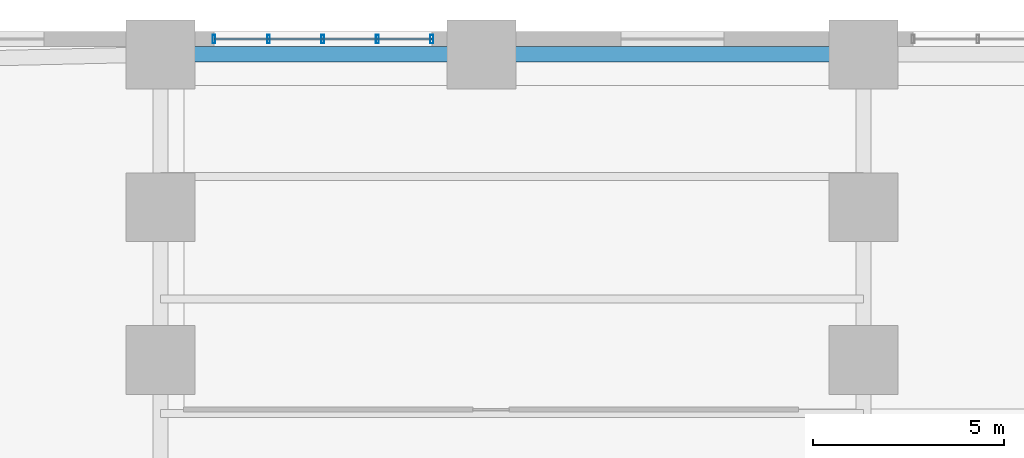
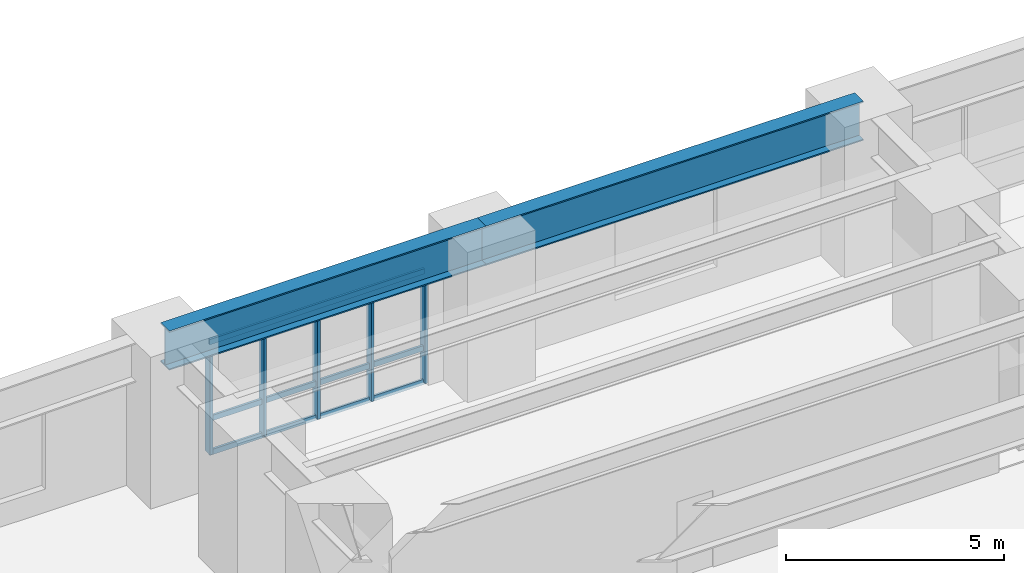
# One storey, part 4 of 13: 8 members, 2 beams, 1 element without a shape of its own.
"""IFC4 building model written with IfcOpenShell, lengths in metres."""

from ifc_helpers import new_model, si_unit, direction, frame, origin, origin_2d, place, context, subcontext, project, spatial, hollow_rectangle, i_section, extrude, source, transform, mapped, material, layer, layer_set, material_profile, profile_set, type_object, element, aggregate, save


model = new_model("IFC4")

# Units and contexts
model_context = context("Model", 3, precision=1e-05, world=origin(), true_north=direction((0.0, 1.0)))
body_context = subcontext(model_context, "Body", "Model", "MODEL_VIEW")
ifc_project = project(units=[si_unit("LENGTHUNIT", "METRE"), si_unit("AREAUNIT", "SQUARE_METRE"), si_unit("VOLUMEUNIT", "CUBIC_METRE"), si_unit("PLANEANGLEUNIT", "RADIAN"), si_unit("MASSUNIT", "GRAM", prefix="KILO")], contexts=[model_context])

# Site, building, storey
site_placement = place(None, origin())
site = spatial("IfcSite", under=ifc_project, at=site_placement, CompositionType="ELEMENT")
building_placement = place(site_placement, origin())
building = spatial("IfcBuilding", under=site, at=building_placement, Name="Kharzan Plaza Tower", CompositionType="ELEMENT")
storey_placement = place(building_placement, frame((0.0, 0.0, 4.5)))
storey = spatial("IfcBuildingStorey", under=building, at=storey_placement, Name="L01", CompositionType="ELEMENT", Elevation=4.5)

# Beams
ifc_material_1 = material(Name="Steel S355", Category="steel")
ifc_material_profile_1 = material_profile(ifc_material_1, i_section(OverallWidth=0.39990234375, OverallDepth=1.10009765625, WebThickness=0.02001953125, FlangeThickness=0.035888671875, at=origin_2d()), Name="W1100x390")
ifc_profile_set_1 = profile_set([ifc_material_profile_1], Name="Steel S355")
beam_type = type_object("IfcBeamType", Name="BM-PG1100B", PredefinedType="BEAM", material=ifc_profile_set_1)
shared_shape_1 = source(origin(), body_context, "Body", "SweptSolid", [
    extrude(i_section(OverallWidth=0.39990234375, OverallDepth=1.10009765625, WebThickness=0.02001953125, FlangeThickness=0.035888671875, at=origin_2d()), origin(), (0.0, 0.0, 1.0), 10.0),
])
beam_1_placement = place(storey_placement, frame((9.0, 49.39990234375, 3.699951171875), z_axis=(1.0, 0.0, 0.0), x_axis=(0.0, 1.0, 0.0)))
element("IfcBeam", 1, at=beam_1_placement, inside=storey, type_object=beam_type, Name="L01 Podium Primary Girder PG-10", PredefinedType="BEAM", context=body_context, shape_type="MappedRepresentation", body=[
    mapped(shared_shape_1, transform((0.0, 0.0, 0.0), x_axis=(1.0, 0.0, 0.0), y_axis=(0.0, 1.0, 0.0), z_axis=(0.0, 0.0, 1.0))),
])
shared_shape_2 = source(origin(), body_context, "Body", "SweptSolid", [
    extrude(i_section(OverallWidth=0.39990234375, OverallDepth=1.10009765625, WebThickness=0.02001953125, FlangeThickness=0.035888671875, at=origin_2d()), origin(), (0.0, 0.0, 1.0), 8.39990234375),
])
beam_2_placement = place(storey_placement, frame((0.60009765625, 49.39990234375, 3.699951171875), z_axis=(1.0, 0.0, 0.0), x_axis=(0.0, 1.0, 0.0)))
element("IfcBeam", 2, at=beam_2_placement, inside=storey, type_object=beam_type, Name="L01 Podium Primary Girder PG-9", PredefinedType="BEAM", context=body_context, shape_type="MappedRepresentation", body=[
    mapped(shared_shape_2, transform((0.0, 0.0, 0.0), x_axis=(1.0, 0.0, 0.0), y_axis=(0.0, 1.0, 0.0), z_axis=(0.0, 0.0, 1.0))),
])

# Curtain wall, members
ifc_material_2 = material(Name="Unitised Bronze-Anodized Aluminium and Low-E Glass", Category="aluminium")
ifc_layer = layer(ifc_material_2, 0.199951171875)
ifc_layer_set = layer_set([ifc_layer], Name="Unitised Bronze-Anodized Aluminium and Low-E Glass")
curtain_wall_type = type_object("IfcCurtainWallType", Name="CW-PODIUM-1", PredefinedType="NOTDEFINED", material=ifc_layer_set)
curtain_wall_placement = place(storey_placement, origin())
curtain_wall = element("IfcCurtainWall", 3, at=curtain_wall_placement, inside=storey, type_object=curtain_wall_type, Name="L01 Podium West Gallery Curtain Wall", PredefinedType="NOTDEFINED")
ifc_material_3 = material(Name="Anodized Bronze Aluminium", Category="aluminium")
ifc_material_profile_2 = material_profile(ifc_material_3, hollow_rectangle(XDim=0.074951171875, YDim=0.219970703125, WallThickness=0.00390625, at=origin_2d()), Name="ALU-M220x75x4")
ifc_profile_set_2 = profile_set([ifc_material_profile_2], Name="Anodized Bronze Aluminium")
member_type_1 = type_object("IfcMemberType", Name="MEM-CW-MUL200", PredefinedType="MULLION", material=ifc_profile_set_2)
shared_shape_3 = source(origin(), body_context, "Body", "SweptSolid", [
    extrude(hollow_rectangle(XDim=0.074951171875, YDim=0.219970703125, WallThickness=0.00390625, at=origin_2d()), origin(), (0.0, 0.0, 1.0), 3.10009765625),
])
member_1_placement = place(storey_placement, frame((2.0, 49.800048828125, 0.0), z_axis=(0.0, 0.0, 1.0), x_axis=(1.0, 0.0, 0.0)))
member_1 = element("IfcMember", 4, at=member_1_placement, type_object=member_type_1, Name="L01 Curtain-Wall Mullion 00", PredefinedType="MULLION", context=body_context, shape_type="MappedRepresentation", body=[
    mapped(shared_shape_3, transform((0.0, 0.0, 0.0), x_axis=(1.0, 0.0, 0.0), y_axis=(0.0, 1.0, 0.0), z_axis=(0.0, 0.0, 1.0))),
])
member_2_placement = place(storey_placement, frame((3.425048828125, 49.800048828125, 0.0), z_axis=(0.0, 0.0, 1.0), x_axis=(1.0, 0.0, 0.0)))
member_2 = element("IfcMember", 5, at=member_2_placement, type_object=member_type_1, Name="L01 Curtain-Wall Mullion 01", PredefinedType="MULLION", context=body_context, shape_type="MappedRepresentation", body=[
    mapped(shared_shape_3, transform((0.0, 0.0, 0.0), x_axis=(1.0, 0.0, 0.0), y_axis=(0.0, 1.0, 0.0), z_axis=(0.0, 0.0, 1.0))),
])
member_3_placement = place(storey_placement, frame((4.85009765625, 49.800048828125, 0.0), z_axis=(0.0, 0.0, 1.0), x_axis=(1.0, 0.0, 0.0)))
member_3 = element("IfcMember", 6, at=member_3_placement, type_object=member_type_1, Name="L01 Curtain-Wall Mullion 02", PredefinedType="MULLION", context=body_context, shape_type="MappedRepresentation", body=[
    mapped(shared_shape_3, transform((0.0, 0.0, 0.0), x_axis=(1.0, 0.0, 0.0), y_axis=(0.0, 1.0, 0.0), z_axis=(0.0, 0.0, 1.0))),
])
member_4_placement = place(storey_placement, frame((6.27490234375, 49.800048828125, 0.0), z_axis=(0.0, 0.0, 1.0), x_axis=(1.0, 0.0, 0.0)))
member_4 = element("IfcMember", 7, at=member_4_placement, type_object=member_type_1, Name="L01 Curtain-Wall Mullion 03", PredefinedType="MULLION", context=body_context, shape_type="MappedRepresentation", body=[
    mapped(shared_shape_3, transform((0.0, 0.0, 0.0), x_axis=(1.0, 0.0, 0.0), y_axis=(0.0, 1.0, 0.0), z_axis=(0.0, 0.0, 1.0))),
])
member_5_placement = place(storey_placement, frame((7.699951171875, 49.800048828125, 0.0), z_axis=(0.0, 0.0, 1.0), x_axis=(1.0, 0.0, 0.0)))
member_5 = element("IfcMember", 8, at=member_5_placement, type_object=member_type_1, Name="L01 Curtain-Wall Mullion 04", PredefinedType="MULLION", context=body_context, shape_type="MappedRepresentation", body=[
    mapped(shared_shape_3, transform((0.0, 0.0, 0.0), x_axis=(1.0, 0.0, 0.0), y_axis=(0.0, 1.0, 0.0), z_axis=(0.0, 0.0, 1.0))),
])
ifc_material_profile_3 = material_profile(ifc_material_3, hollow_rectangle(XDim=0.06005859375, YDim=0.14990234375, WallThickness=0.00341796875, at=origin_2d()), Name="ALU-T150x60x3.5")
ifc_profile_set_3 = profile_set([ifc_material_profile_3], Name="Anodized Bronze Aluminium")
member_type_2 = type_object("IfcMemberType", Name="MEM-CW-TRN150", PredefinedType="USERDEFINED", material=ifc_profile_set_3)
shared_shape_4 = source(origin(), body_context, "Body", "SweptSolid", [
    extrude(hollow_rectangle(XDim=0.06005859375, YDim=0.14990234375, WallThickness=0.00341796875, at=origin_2d()), origin(), (0.0, 0.0, 1.0), 5.699951171875),
])
member_6_placement = place(storey_placement, frame((2.0, 49.800048828125, 0.0), z_axis=(1.0, 0.0, 0.0), x_axis=(0.0, 1.0, 0.0)))
member_6 = element("IfcMember", 9, at=member_6_placement, type_object=member_type_2, Name="L01 Curtain-Wall Transom 1", ObjectType="TRANSOM", PredefinedType="USERDEFINED", context=body_context, shape_type="MappedRepresentation", body=[
    mapped(shared_shape_4, transform((0.0, 0.0, 0.0), x_axis=(1.0, 0.0, 0.0), y_axis=(0.0, 1.0, 0.0), z_axis=(0.0, 0.0, 1.0))),
])
member_7_placement = place(storey_placement, frame((2.0, 49.800048828125, 0.949951171875), z_axis=(1.0, 0.0, 0.0), x_axis=(0.0, 1.0, 0.0)))
member_7 = element("IfcMember", 10, at=member_7_placement, type_object=member_type_2, Name="L01 Curtain-Wall Transom 2", ObjectType="TRANSOM", PredefinedType="USERDEFINED", context=body_context, shape_type="MappedRepresentation", body=[
    mapped(shared_shape_4, transform((0.0, 0.0, 0.0), x_axis=(1.0, 0.0, 0.0), y_axis=(0.0, 1.0, 0.0), z_axis=(0.0, 0.0, 1.0))),
])
member_8_placement = place(storey_placement, frame((2.0, 49.800048828125, 3.10009765625), z_axis=(1.0, 0.0, 0.0), x_axis=(0.0, 1.0, 0.0)))
member_8 = element("IfcMember", 11, at=member_8_placement, type_object=member_type_2, Name="L01 Curtain-Wall Transom 3", ObjectType="TRANSOM", PredefinedType="USERDEFINED", context=body_context, shape_type="MappedRepresentation", body=[
    mapped(shared_shape_4, transform((0.0, 0.0, 0.0), x_axis=(1.0, 0.0, 0.0), y_axis=(0.0, 1.0, 0.0), z_axis=(0.0, 0.0, 1.0))),
])
aggregate(curtain_wall, [member_1, member_2, member_3, member_4, member_5, member_6, member_7, member_8])

save(model, "model.ifc")
